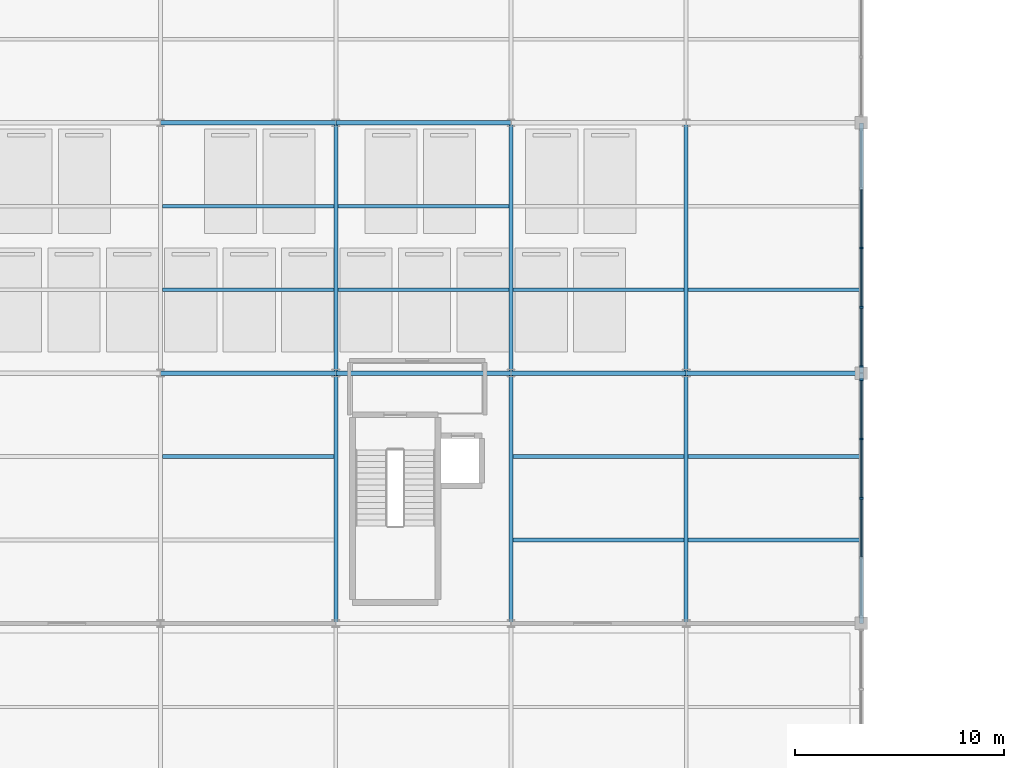
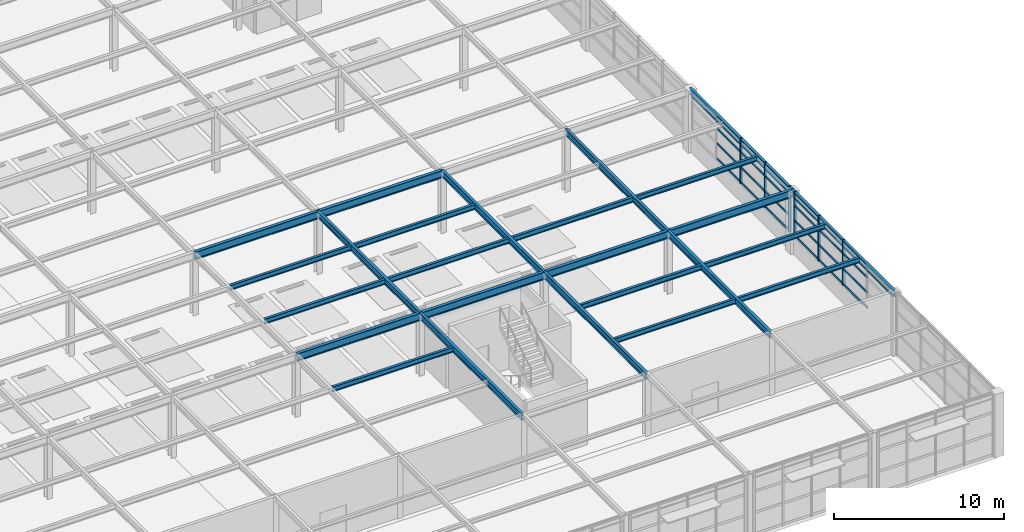
# One storey, part 40 of 82: 30 members, 25 beams, 2 elements without a shape of their own.
"""IFC4 building model written with IfcOpenShell, lengths in metres."""

from ifc_helpers import new_model, si_unit, direction, frame, origin, origin_2d, place, context, subcontext, project, spatial, rectangle, i_section, extrude, material, layer, layer_set, material_profile, profile_set, type_object, element, aggregate, save


model = new_model("IFC4")

# Units and contexts
model_context = context("Model", 3, precision=1e-05, world=origin(), true_north=direction((0.0, 1.0)))
body_context = subcontext(model_context, "Body", "Model", "MODEL_VIEW")
ifc_project = project(units=[si_unit("LENGTHUNIT", "METRE"), si_unit("AREAUNIT", "SQUARE_METRE"), si_unit("VOLUMEUNIT", "CUBIC_METRE"), si_unit("PLANEANGLEUNIT", "RADIAN"), si_unit("MASSUNIT", "GRAM", prefix="KILO")], contexts=[model_context])

# Site, building, storey
site_placement = place(None, origin())
site = spatial("IfcSite", under=ifc_project, at=site_placement, CompositionType="ELEMENT")
building_placement = place(site_placement, origin())
building = spatial("IfcBuilding", under=site, at=building_placement, Name="Sitalva Quay Ferry Terminal", CompositionType="ELEMENT")
storey_placement = place(building_placement, frame((0.0, 0.0, 5.39990234375)))
storey = spatial("IfcBuildingStorey", under=building, at=storey_placement, Name="L02", CompositionType="ELEMENT", Elevation=5.39990234375)

# Beams
ifc_material_1 = material(Name="Structural Steel S355JR", Category="steel")
ifc_material_profile_1 = material_profile(ifc_material_1, i_section(OverallWidth=0.19091796875, OverallDepth=0.4599609375, WebThickness=0.010009765625, FlangeThickness=0.01611328125, FilletRadius=0.013916015625, at=origin_2d()), Name="W460x82")
ifc_profile_set_1 = profile_set([ifc_material_profile_1], Name="Structural Steel S355JR")
beam_type_1 = type_object("IfcBeamType", Name="Beam_W460x82", PredefinedType="BEAM", material=ifc_profile_set_1)
for number, where, z_axis, x_axis, name in (
    (1, (142.800048828125, 18.0, 4.22021484375), (0.0, 1.0, 0.0), (-1.0, 0.0, 0.0), "L02 Primary Y girder 0842"),
    (2, (142.800048828125, 30.0, 4.22021484375), (0.0, 1.0, 0.0), (-1.0, 0.0, 0.0), "L02 Primary Y girder 0843"),
    (3, (151.199951171875, 18.0, 4.22021484375), (0.0, 1.0, 0.0), (-1.0, 0.0, 0.0), "L02 Primary Y girder 0847"),
    (4, (151.199951171875, 30.0, 4.22021484375), (0.0, 1.0, 0.0), (-1.0, 0.0, 0.0), "L02 Primary Y girder 0848"),
    (5, (159.60009765625, 18.0, 4.22021484375), (0.0, 1.0, 0.0), (-1.0, 0.0, 0.0), "L02 Primary Y girder 0852"),
    (6, (159.60009765625, 30.0, 4.22021484375), (0.0, 1.0, 0.0), (-1.0, 0.0, 0.0), "L02 Primary Y girder 0853"),
    (7, (168.0, 18.0, 4.22021484375), (0.0, 1.0, 0.0), (-1.0, 0.0, 0.0), "L02 Primary Y girder 0857"),
    (8, (168.0, 30.0, 4.22021484375), (0.0, 1.0, 0.0), (-1.0, 0.0, 0.0), "L02 Primary Y girder 0858"),
):
    element("IfcBeam", number, at=place(storey_placement, frame(where, z_axis=z_axis, x_axis=x_axis)), inside=storey, type_object=beam_type_1, Name=name, PredefinedType="BEAM", context=body_context, shape_type="SweptSolid", body=[
        extrude(i_section(OverallWidth=0.19091796875, OverallDepth=0.4599609375, WebThickness=0.010009765625, FlangeThickness=0.01611328125, FilletRadius=0.013916015625, at=origin_2d()), origin(), (0.0, 0.0, 1.0), 12.0),
    ])
ifc_material_2 = material(Name="Structural Steel S355JR", Category="steel")
ifc_material_profile_2 = material_profile(ifc_material_2, i_section(OverallWidth=0.2119140625, OverallDepth=0.5439453125, WebThickness=0.01318359375, FlangeThickness=0.021240234375, FilletRadius=0.014892578125, at=origin_2d()), Name="W530x123")
ifc_profile_set_2 = profile_set([ifc_material_profile_2], Name="Structural Steel S355JR")
beam_type_2 = type_object("IfcBeamType", Name="Girder_W530x123", PredefinedType="USERDEFINED", material=ifc_profile_set_2)
beam_1_placement = place(storey_placement, frame((134.39990234375, 30.0, 4.177978515625), z_axis=(1.0, 0.0, 0.0), x_axis=(0.0, 1.0, 0.0)))
element("IfcBeam", 9, at=beam_1_placement, inside=storey, type_object=beam_type_2, Name="L02 Primary X girder 0765", ObjectType="GIRDER", PredefinedType="USERDEFINED", context=body_context, shape_type="SweptSolid", body=[
    extrude(i_section(OverallWidth=0.2119140625, OverallDepth=0.5439453125, WebThickness=0.01318359375, FlangeThickness=0.021240234375, FilletRadius=0.014892578125, at=origin_2d()), origin(), (0.0, 0.0, 1.0), 8.400146484375),
])
beam_2_placement = place(storey_placement, frame((142.800048828125, 30.0, 4.177978515625), z_axis=(1.0, 0.0, 0.0), x_axis=(0.0, 1.0, 0.0)))
element("IfcBeam", 10, at=beam_2_placement, inside=storey, type_object=beam_type_2, Name="L02 Primary X girder 0766", ObjectType="GIRDER", PredefinedType="USERDEFINED", context=body_context, shape_type="SweptSolid", body=[
    extrude(i_section(OverallWidth=0.2119140625, OverallDepth=0.5439453125, WebThickness=0.01318359375, FlangeThickness=0.021240234375, FilletRadius=0.014892578125, at=origin_2d()), origin(), (0.0, 0.0, 1.0), 8.39990234375),
])
beam_3_placement = place(storey_placement, frame((151.199951171875, 30.0, 4.177978515625), z_axis=(1.0, 0.0, 0.0), x_axis=(0.0, 1.0, 0.0)))
element("IfcBeam", 11, at=beam_3_placement, inside=storey, type_object=beam_type_2, Name="L02 Primary X girder 0767", ObjectType="GIRDER", PredefinedType="USERDEFINED", context=body_context, shape_type="SweptSolid", body=[
    extrude(i_section(OverallWidth=0.2119140625, OverallDepth=0.5439453125, WebThickness=0.01318359375, FlangeThickness=0.021240234375, FilletRadius=0.014892578125, at=origin_2d()), origin(), (0.0, 0.0, 1.0), 8.400146484375),
])
beam_4_placement = place(storey_placement, frame((159.60009765625, 30.0, 4.177978515625), z_axis=(1.0, 0.0, 0.0), x_axis=(0.0, 1.0, 0.0)))
element("IfcBeam", 12, at=beam_4_placement, inside=storey, type_object=beam_type_2, Name="L02 Primary X girder 0768", ObjectType="GIRDER", PredefinedType="USERDEFINED", context=body_context, shape_type="SweptSolid", body=[
    extrude(i_section(OverallWidth=0.2119140625, OverallDepth=0.5439453125, WebThickness=0.01318359375, FlangeThickness=0.021240234375, FilletRadius=0.014892578125, at=origin_2d()), origin(), (0.0, 0.0, 1.0), 8.39990234375),
])
beam_5_placement = place(storey_placement, frame((134.39990234375, 42.0, 4.177978515625), z_axis=(1.0, 0.0, 0.0), x_axis=(0.0, 1.0, 0.0)))
element("IfcBeam", 13, at=beam_5_placement, inside=storey, type_object=beam_type_2, Name="L02 Primary X girder 0775", ObjectType="GIRDER", PredefinedType="USERDEFINED", context=body_context, shape_type="SweptSolid", body=[
    extrude(i_section(OverallWidth=0.2119140625, OverallDepth=0.5439453125, WebThickness=0.01318359375, FlangeThickness=0.021240234375, FilletRadius=0.014892578125, at=origin_2d()), origin(), (0.0, 0.0, 1.0), 8.400146484375),
])
beam_6_placement = place(storey_placement, frame((142.800048828125, 42.0, 4.177978515625), z_axis=(1.0, 0.0, 0.0), x_axis=(0.0, 1.0, 0.0)))
element("IfcBeam", 14, at=beam_6_placement, inside=storey, type_object=beam_type_2, Name="L02 Primary X girder 0776", ObjectType="GIRDER", PredefinedType="USERDEFINED", context=body_context, shape_type="SweptSolid", body=[
    extrude(i_section(OverallWidth=0.2119140625, OverallDepth=0.5439453125, WebThickness=0.01318359375, FlangeThickness=0.021240234375, FilletRadius=0.014892578125, at=origin_2d()), origin(), (0.0, 0.0, 1.0), 8.39990234375),
])
ifc_material_3 = material(Name="Structural Steel S355JR", Category="steel")
ifc_material_profile_3 = material_profile(ifc_material_3, i_section(OverallWidth=0.172119140625, OverallDepth=0.35791015625, WebThickness=0.0078125, FlangeThickness=0.01318359375, FilletRadius=0.011962890625, at=origin_2d()), Name="W360x57")
ifc_profile_set_3 = profile_set([ifc_material_profile_3], Name="Structural Steel S355JR")
beam_type_3 = type_object("IfcBeamType", Name="Joist_W360x57", PredefinedType="JOIST", material=ifc_profile_set_3)
for number, where, z_axis, x_axis, name in (
    (15, (151.29541015625, 22.0, 4.27099609375), (1.0, 0.0, 0.0), (0.0, 1.0, 0.0), "L02 Secondary joist 0869"),
    (16, (159.695556640625, 22.0, 4.27099609375), (1.0, 0.0, 0.0), (0.0, 1.0, 0.0), "L02 Secondary joist 0870"),
    (17, (134.49560546875, 26.0, 4.27099609375), (1.0, 0.0, 0.0), (0.0, 1.0, 0.0), "L02 Secondary joist 0877"),
    (18, (151.29541015625, 26.0, 4.27099609375), (1.0, 0.0, 0.0), (0.0, 1.0, 0.0), "L02 Secondary joist 0878"),
    (19, (159.695556640625, 26.0, 4.27099609375), (1.0, 0.0, 0.0), (0.0, 1.0, 0.0), "L02 Secondary joist 0879"),
    (20, (134.49560546875, 34.0, 4.27099609375), (1.0, 0.0, 0.0), (0.0, 1.0, 0.0), "L02 Secondary joist 0886"),
    (21, (142.8955078125, 34.0, 4.27099609375), (1.0, 0.0, 0.0), (0.0, 1.0, 0.0), "L02 Secondary joist 0887"),
    (22, (151.29541015625, 34.0, 4.27099609375), (1.0, 0.0, 0.0), (0.0, 1.0, 0.0), "L02 Secondary joist 0888"),
    (23, (159.695556640625, 34.0, 4.27099609375), (1.0, 0.0, 0.0), (0.0, 1.0, 0.0), "L02 Secondary joist 0889"),
    (24, (134.49560546875, 38.0, 4.27099609375), (1.0, 0.0, 0.0), (0.0, 1.0, 0.0), "L02 Secondary joist 0896"),
    (25, (142.8955078125, 38.0, 4.27099609375), (1.0, 0.0, 0.0), (0.0, 1.0, 0.0), "L02 Secondary joist 0897"),
):
    element("IfcBeam", number, at=place(storey_placement, frame(where, z_axis=z_axis, x_axis=x_axis)), inside=storey, type_object=beam_type_3, Name=name, PredefinedType="JOIST", context=body_context, shape_type="SweptSolid", body=[
        extrude(i_section(OverallWidth=0.172119140625, OverallDepth=0.35791015625, WebThickness=0.0078125, FlangeThickness=0.01318359375, FilletRadius=0.011962890625, at=origin_2d()), origin(), (0.0, 0.0, 1.0), 8.208984375),
    ])

# Curtain wall, members
ifc_material_4 = material(Name="Anodised Aluminium & Low-E Glazing", Category="aluminium")
ifc_layer = layer(ifc_material_4, 0.159912109375)
ifc_layer_set = layer_set([ifc_layer], Name="Anodised Aluminium & Low-E Glazing")
curtain_wall_type = type_object("IfcCurtainWallType", Name="CW_Coastal_Louvred", PredefinedType="USERDEFINED", material=ifc_layer_set)
curtain_wall_1_placement = place(storey_placement, origin())
curtain_wall_1 = element("IfcCurtainWall", 26, at=curtain_wall_1_placement, inside=storey, type_object=curtain_wall_type, Name="L02 vehicle deck east ventilation screen (CW-L02-093)", ObjectType="CURTAIN_WALL", PredefinedType="USERDEFINED")
ifc_material_5 = material(Name="Anodised Aluminium 6063-T6", Category="aluminium")
ifc_material_profile_4 = material_profile(ifc_material_5, rectangle(XDim=0.080078125, YDim=0.18505859375, at=origin_2d()), Name="ALU80x185")
ifc_profile_set_4 = profile_set([ifc_material_profile_4], Name="Anodised Aluminium 6063-T6")
member_type_1 = type_object("IfcMemberType", Name="Mullion_Alu_80x185", PredefinedType="MULLION", material=ifc_profile_set_4)
member_1_placement = place(storey_placement, frame((168.0, 24.0, 1.2001953125), z_axis=(0.0, 0.0, 1.0), x_axis=(0.0, 1.0, 0.0)))
member_1 = element("IfcMember", 27, at=member_1_placement, type_object=member_type_1, Name="CW-L02-093-M2", PredefinedType="MULLION", context=body_context, shape_type="SweptSolid", body=[
    extrude(rectangle(XDim=0.080078125, YDim=0.18505859375, at=origin_2d()), origin(), (0.0, 0.0, 1.0), 3.25),
])
member_2_placement = place(storey_placement, frame((168.0, 26.840087890625, 1.2001953125), z_axis=(0.0, 0.0, 1.0), x_axis=(0.0, 1.0, 0.0)))
member_2 = element("IfcMember", 28, at=member_2_placement, type_object=member_type_1, Name="CW-L02-093-M3", PredefinedType="MULLION", context=body_context, shape_type="SweptSolid", body=[
    extrude(rectangle(XDim=0.080078125, YDim=0.18505859375, at=origin_2d()), origin(), (0.0, 0.0, 1.0), 3.25),
])
member_3_placement = place(storey_placement, frame((168.0, 29.679931640625, 1.2001953125), z_axis=(0.0, 0.0, 1.0), x_axis=(0.0, 1.0, 0.0)))
member_3 = element("IfcMember", 29, at=member_3_placement, type_object=member_type_1, Name="CW-L02-093-M4", PredefinedType="MULLION", context=body_context, shape_type="SweptSolid", body=[
    extrude(rectangle(XDim=0.080078125, YDim=0.18505859375, at=origin_2d()), origin(), (0.0, 0.0, 1.0), 3.25),
])

curtain_wall_2_placement = place(storey_placement, origin())
curtain_wall_2 = element("IfcCurtainWall", 30, at=curtain_wall_2_placement, inside=storey, type_object=curtain_wall_type, Name="L02 vehicle deck east ventilation screen (CW-L02-095)", ObjectType="CURTAIN_WALL", PredefinedType="USERDEFINED")
member_4_placement = place(storey_placement, frame((168.0, 30.320068359375, 1.2001953125), z_axis=(0.0, 0.0, 1.0), x_axis=(0.0, 1.0, 0.0)))
member_4 = element("IfcMember", 31, at=member_4_placement, type_object=member_type_1, Name="CW-L02-095-M0", PredefinedType="MULLION", context=body_context, shape_type="SweptSolid", body=[
    extrude(rectangle(XDim=0.080078125, YDim=0.18505859375, at=origin_2d()), origin(), (0.0, 0.0, 1.0), 3.25),
])
member_5_placement = place(storey_placement, frame((168.0, 33.159912109375, 1.2001953125), z_axis=(0.0, 0.0, 1.0), x_axis=(0.0, 1.0, 0.0)))
member_5 = element("IfcMember", 32, at=member_5_placement, type_object=member_type_1, Name="CW-L02-095-M1", PredefinedType="MULLION", context=body_context, shape_type="SweptSolid", body=[
    extrude(rectangle(XDim=0.080078125, YDim=0.18505859375, at=origin_2d()), origin(), (0.0, 0.0, 1.0), 3.25),
])
member_6_placement = place(storey_placement, frame((168.0, 36.0, 1.2001953125), z_axis=(0.0, 0.0, 1.0), x_axis=(0.0, 1.0, 0.0)))
member_6 = element("IfcMember", 33, at=member_6_placement, type_object=member_type_1, Name="CW-L02-095-M2", PredefinedType="MULLION", context=body_context, shape_type="SweptSolid", body=[
    extrude(rectangle(XDim=0.080078125, YDim=0.18505859375, at=origin_2d()), origin(), (0.0, 0.0, 1.0), 3.25),
])

# Member
ifc_material_6 = material(Name="Anodised Aluminium 6063-T6", Category="aluminium")
ifc_material_profile_5 = material_profile(ifc_material_6, rectangle(XDim=0.074951171875, YDim=0.14990234375, at=origin_2d()), Name="ALU75x150")
ifc_profile_set_5 = profile_set([ifc_material_profile_5], Name="Anodised Aluminium 6063-T6")
member_type_2 = type_object("IfcMemberType", Name="Transom_Alu_75x140", PredefinedType="MULLION", material=ifc_profile_set_5)
member_7_placement = place(storey_placement, frame((168.0, 21.199951171875, 1.275146484375), z_axis=(0.0, 1.0, 0.0), x_axis=(-1.0, 0.0, 0.0)))
member_7 = element("IfcMember", 34, at=member_7_placement, type_object=member_type_2, Name="CW-L02-093-T1-0", ObjectType="TRANSOM", PredefinedType="USERDEFINED", context=body_context, shape_type="SweptSolid", body=[
    extrude(rectangle(XDim=0.074951171875, YDim=0.14990234375, at=origin_2d()), origin(), (0.0, 0.0, 1.0), 2.760009765625),
])

member_8_placement = place(storey_placement, frame((168.0, 21.199951171875, 2.3583984375), z_axis=(0.0, 1.0, 0.0), x_axis=(-1.0, 0.0, 0.0)))
member_8 = element("IfcMember", 35, at=member_8_placement, type_object=member_type_2, Name="CW-L02-093-T1-1", ObjectType="TRANSOM", PredefinedType="USERDEFINED", context=body_context, shape_type="SweptSolid", body=[
    extrude(rectangle(XDim=0.074951171875, YDim=0.14990234375, at=origin_2d()), origin(), (0.0, 0.0, 1.0), 2.760009765625),
])

member_9_placement = place(storey_placement, frame((168.0, 21.199951171875, 3.441650390625), z_axis=(0.0, 1.0, 0.0), x_axis=(-1.0, 0.0, 0.0)))
member_9 = element("IfcMember", 36, at=member_9_placement, type_object=member_type_2, Name="CW-L02-093-T1-2", ObjectType="TRANSOM", PredefinedType="USERDEFINED", context=body_context, shape_type="SweptSolid", body=[
    extrude(rectangle(XDim=0.074951171875, YDim=0.14990234375, at=origin_2d()), origin(), (0.0, 0.0, 1.0), 2.760009765625),
])

member_10_placement = place(storey_placement, frame((168.0, 21.199951171875, 4.375), z_axis=(0.0, 1.0, 0.0), x_axis=(-1.0, 0.0, 0.0)))
member_10 = element("IfcMember", 37, at=member_10_placement, type_object=member_type_2, Name="CW-L02-093-T1-3", ObjectType="TRANSOM", PredefinedType="USERDEFINED", context=body_context, shape_type="SweptSolid", body=[
    extrude(rectangle(XDim=0.074951171875, YDim=0.14990234375, at=origin_2d()), origin(), (0.0, 0.0, 1.0), 2.760009765625),
])

member_11_placement = place(storey_placement, frame((168.0, 24.0400390625, 1.275146484375), z_axis=(0.0, 1.0, 0.0), x_axis=(-1.0, 0.0, 0.0)))
member_11 = element("IfcMember", 38, at=member_11_placement, type_object=member_type_2, Name="CW-L02-093-T2-0", ObjectType="TRANSOM", PredefinedType="USERDEFINED", context=body_context, shape_type="SweptSolid", body=[
    extrude(rectangle(XDim=0.074951171875, YDim=0.14990234375, at=origin_2d()), origin(), (0.0, 0.0, 1.0), 2.760009765625),
])

member_12_placement = place(storey_placement, frame((168.0, 24.0400390625, 2.3583984375), z_axis=(0.0, 1.0, 0.0), x_axis=(-1.0, 0.0, 0.0)))
member_12 = element("IfcMember", 39, at=member_12_placement, type_object=member_type_2, Name="CW-L02-093-T2-1", ObjectType="TRANSOM", PredefinedType="USERDEFINED", context=body_context, shape_type="SweptSolid", body=[
    extrude(rectangle(XDim=0.074951171875, YDim=0.14990234375, at=origin_2d()), origin(), (0.0, 0.0, 1.0), 2.760009765625),
])

member_13_placement = place(storey_placement, frame((168.0, 24.0400390625, 3.441650390625), z_axis=(0.0, 1.0, 0.0), x_axis=(-1.0, 0.0, 0.0)))
member_13 = element("IfcMember", 40, at=member_13_placement, type_object=member_type_2, Name="CW-L02-093-T2-2", ObjectType="TRANSOM", PredefinedType="USERDEFINED", context=body_context, shape_type="SweptSolid", body=[
    extrude(rectangle(XDim=0.074951171875, YDim=0.14990234375, at=origin_2d()), origin(), (0.0, 0.0, 1.0), 2.760009765625),
])

member_14_placement = place(storey_placement, frame((168.0, 24.0400390625, 4.375), z_axis=(0.0, 1.0, 0.0), x_axis=(-1.0, 0.0, 0.0)))
member_14 = element("IfcMember", 41, at=member_14_placement, type_object=member_type_2, Name="CW-L02-093-T2-3", ObjectType="TRANSOM", PredefinedType="USERDEFINED", context=body_context, shape_type="SweptSolid", body=[
    extrude(rectangle(XDim=0.074951171875, YDim=0.14990234375, at=origin_2d()), origin(), (0.0, 0.0, 1.0), 2.760009765625),
])

member_15_placement = place(storey_placement, frame((168.0, 26.8798828125, 1.275146484375), z_axis=(0.0, 1.0, 0.0), x_axis=(-1.0, 0.0, 0.0)))
member_15 = element("IfcMember", 42, at=member_15_placement, type_object=member_type_2, Name="CW-L02-093-T3-0", ObjectType="TRANSOM", PredefinedType="USERDEFINED", context=body_context, shape_type="SweptSolid", body=[
    extrude(rectangle(XDim=0.074951171875, YDim=0.14990234375, at=origin_2d()), origin(), (0.0, 0.0, 1.0), 2.760009765625),
])

member_16_placement = place(storey_placement, frame((168.0, 26.8798828125, 2.3583984375), z_axis=(0.0, 1.0, 0.0), x_axis=(-1.0, 0.0, 0.0)))
member_16 = element("IfcMember", 43, at=member_16_placement, type_object=member_type_2, Name="CW-L02-093-T3-1", ObjectType="TRANSOM", PredefinedType="USERDEFINED", context=body_context, shape_type="SweptSolid", body=[
    extrude(rectangle(XDim=0.074951171875, YDim=0.14990234375, at=origin_2d()), origin(), (0.0, 0.0, 1.0), 2.760009765625),
])

member_17_placement = place(storey_placement, frame((168.0, 26.8798828125, 3.441650390625), z_axis=(0.0, 1.0, 0.0), x_axis=(-1.0, 0.0, 0.0)))
member_17 = element("IfcMember", 44, at=member_17_placement, type_object=member_type_2, Name="CW-L02-093-T3-2", ObjectType="TRANSOM", PredefinedType="USERDEFINED", context=body_context, shape_type="SweptSolid", body=[
    extrude(rectangle(XDim=0.074951171875, YDim=0.14990234375, at=origin_2d()), origin(), (0.0, 0.0, 1.0), 2.760009765625),
])

member_18_placement = place(storey_placement, frame((168.0, 26.8798828125, 4.375), z_axis=(0.0, 1.0, 0.0), x_axis=(-1.0, 0.0, 0.0)))
member_18 = element("IfcMember", 45, at=member_18_placement, type_object=member_type_2, Name="CW-L02-093-T3-3", ObjectType="TRANSOM", PredefinedType="USERDEFINED", context=body_context, shape_type="SweptSolid", body=[
    extrude(rectangle(XDim=0.074951171875, YDim=0.14990234375, at=origin_2d()), origin(), (0.0, 0.0, 1.0), 2.760009765625),
])

aggregate(curtain_wall_1, [member_1, member_2, member_3, member_7, member_8, member_9, member_10, member_11, member_12, member_13, member_14, member_15, member_16, member_17, member_18])

member_19_placement = place(storey_placement, frame((168.0, 30.360107421875, 1.275146484375), z_axis=(0.0, 1.0, 0.0), x_axis=(-1.0, 0.0, 0.0)))
member_19 = element("IfcMember", 46, at=member_19_placement, type_object=member_type_2, Name="CW-L02-095-T0-0", ObjectType="TRANSOM", PredefinedType="USERDEFINED", context=body_context, shape_type="SweptSolid", body=[
    extrude(rectangle(XDim=0.074951171875, YDim=0.14990234375, at=origin_2d()), origin(), (0.0, 0.0, 1.0), 2.760009765625),
])

member_20_placement = place(storey_placement, frame((168.0, 30.360107421875, 2.3583984375), z_axis=(0.0, 1.0, 0.0), x_axis=(-1.0, 0.0, 0.0)))
member_20 = element("IfcMember", 47, at=member_20_placement, type_object=member_type_2, Name="CW-L02-095-T0-1", ObjectType="TRANSOM", PredefinedType="USERDEFINED", context=body_context, shape_type="SweptSolid", body=[
    extrude(rectangle(XDim=0.074951171875, YDim=0.14990234375, at=origin_2d()), origin(), (0.0, 0.0, 1.0), 2.760009765625),
])

member_21_placement = place(storey_placement, frame((168.0, 30.360107421875, 3.441650390625), z_axis=(0.0, 1.0, 0.0), x_axis=(-1.0, 0.0, 0.0)))
member_21 = element("IfcMember", 48, at=member_21_placement, type_object=member_type_2, Name="CW-L02-095-T0-2", ObjectType="TRANSOM", PredefinedType="USERDEFINED", context=body_context, shape_type="SweptSolid", body=[
    extrude(rectangle(XDim=0.074951171875, YDim=0.14990234375, at=origin_2d()), origin(), (0.0, 0.0, 1.0), 2.760009765625),
])

member_22_placement = place(storey_placement, frame((168.0, 30.360107421875, 4.375), z_axis=(0.0, 1.0, 0.0), x_axis=(-1.0, 0.0, 0.0)))
member_22 = element("IfcMember", 49, at=member_22_placement, type_object=member_type_2, Name="CW-L02-095-T0-3", ObjectType="TRANSOM", PredefinedType="USERDEFINED", context=body_context, shape_type="SweptSolid", body=[
    extrude(rectangle(XDim=0.074951171875, YDim=0.14990234375, at=origin_2d()), origin(), (0.0, 0.0, 1.0), 2.760009765625),
])

member_23_placement = place(storey_placement, frame((168.0, 33.199951171875, 1.275146484375), z_axis=(0.0, 1.0, 0.0), x_axis=(-1.0, 0.0, 0.0)))
member_23 = element("IfcMember", 50, at=member_23_placement, type_object=member_type_2, Name="CW-L02-095-T1-0", ObjectType="TRANSOM", PredefinedType="USERDEFINED", context=body_context, shape_type="SweptSolid", body=[
    extrude(rectangle(XDim=0.074951171875, YDim=0.14990234375, at=origin_2d()), origin(), (0.0, 0.0, 1.0), 2.760009765625),
])

member_24_placement = place(storey_placement, frame((168.0, 33.199951171875, 2.3583984375), z_axis=(0.0, 1.0, 0.0), x_axis=(-1.0, 0.0, 0.0)))
member_24 = element("IfcMember", 51, at=member_24_placement, type_object=member_type_2, Name="CW-L02-095-T1-1", ObjectType="TRANSOM", PredefinedType="USERDEFINED", context=body_context, shape_type="SweptSolid", body=[
    extrude(rectangle(XDim=0.074951171875, YDim=0.14990234375, at=origin_2d()), origin(), (0.0, 0.0, 1.0), 2.760009765625),
])

member_25_placement = place(storey_placement, frame((168.0, 33.199951171875, 3.441650390625), z_axis=(0.0, 1.0, 0.0), x_axis=(-1.0, 0.0, 0.0)))
member_25 = element("IfcMember", 52, at=member_25_placement, type_object=member_type_2, Name="CW-L02-095-T1-2", ObjectType="TRANSOM", PredefinedType="USERDEFINED", context=body_context, shape_type="SweptSolid", body=[
    extrude(rectangle(XDim=0.074951171875, YDim=0.14990234375, at=origin_2d()), origin(), (0.0, 0.0, 1.0), 2.760009765625),
])

member_26_placement = place(storey_placement, frame((168.0, 33.199951171875, 4.375), z_axis=(0.0, 1.0, 0.0), x_axis=(-1.0, 0.0, 0.0)))
member_26 = element("IfcMember", 53, at=member_26_placement, type_object=member_type_2, Name="CW-L02-095-T1-3", ObjectType="TRANSOM", PredefinedType="USERDEFINED", context=body_context, shape_type="SweptSolid", body=[
    extrude(rectangle(XDim=0.074951171875, YDim=0.14990234375, at=origin_2d()), origin(), (0.0, 0.0, 1.0), 2.760009765625),
])

member_27_placement = place(storey_placement, frame((168.0, 36.0400390625, 1.275146484375), z_axis=(0.0, 1.0, 0.0), x_axis=(-1.0, 0.0, 0.0)))
member_27 = element("IfcMember", 54, at=member_27_placement, type_object=member_type_2, Name="CW-L02-095-T2-0", ObjectType="TRANSOM", PredefinedType="USERDEFINED", context=body_context, shape_type="SweptSolid", body=[
    extrude(rectangle(XDim=0.074951171875, YDim=0.14990234375, at=origin_2d()), origin(), (0.0, 0.0, 1.0), 2.760009765625),
])

member_28_placement = place(storey_placement, frame((168.0, 36.0400390625, 2.3583984375), z_axis=(0.0, 1.0, 0.0), x_axis=(-1.0, 0.0, 0.0)))
member_28 = element("IfcMember", 55, at=member_28_placement, type_object=member_type_2, Name="CW-L02-095-T2-1", ObjectType="TRANSOM", PredefinedType="USERDEFINED", context=body_context, shape_type="SweptSolid", body=[
    extrude(rectangle(XDim=0.074951171875, YDim=0.14990234375, at=origin_2d()), origin(), (0.0, 0.0, 1.0), 2.760009765625),
])

member_29_placement = place(storey_placement, frame((168.0, 36.0400390625, 3.441650390625), z_axis=(0.0, 1.0, 0.0), x_axis=(-1.0, 0.0, 0.0)))
member_29 = element("IfcMember", 56, at=member_29_placement, type_object=member_type_2, Name="CW-L02-095-T2-2", ObjectType="TRANSOM", PredefinedType="USERDEFINED", context=body_context, shape_type="SweptSolid", body=[
    extrude(rectangle(XDim=0.074951171875, YDim=0.14990234375, at=origin_2d()), origin(), (0.0, 0.0, 1.0), 2.760009765625),
])

member_30_placement = place(storey_placement, frame((168.0, 36.0400390625, 4.375), z_axis=(0.0, 1.0, 0.0), x_axis=(-1.0, 0.0, 0.0)))
member_30 = element("IfcMember", 57, at=member_30_placement, type_object=member_type_2, Name="CW-L02-095-T2-3", ObjectType="TRANSOM", PredefinedType="USERDEFINED", context=body_context, shape_type="SweptSolid", body=[
    extrude(rectangle(XDim=0.074951171875, YDim=0.14990234375, at=origin_2d()), origin(), (0.0, 0.0, 1.0), 2.760009765625),
])

aggregate(curtain_wall_2, [member_4, member_5, member_6, member_19, member_20, member_21, member_22, member_23, member_24, member_25, member_26, member_27, member_28, member_29, member_30])

save(model, "model.ifc")
